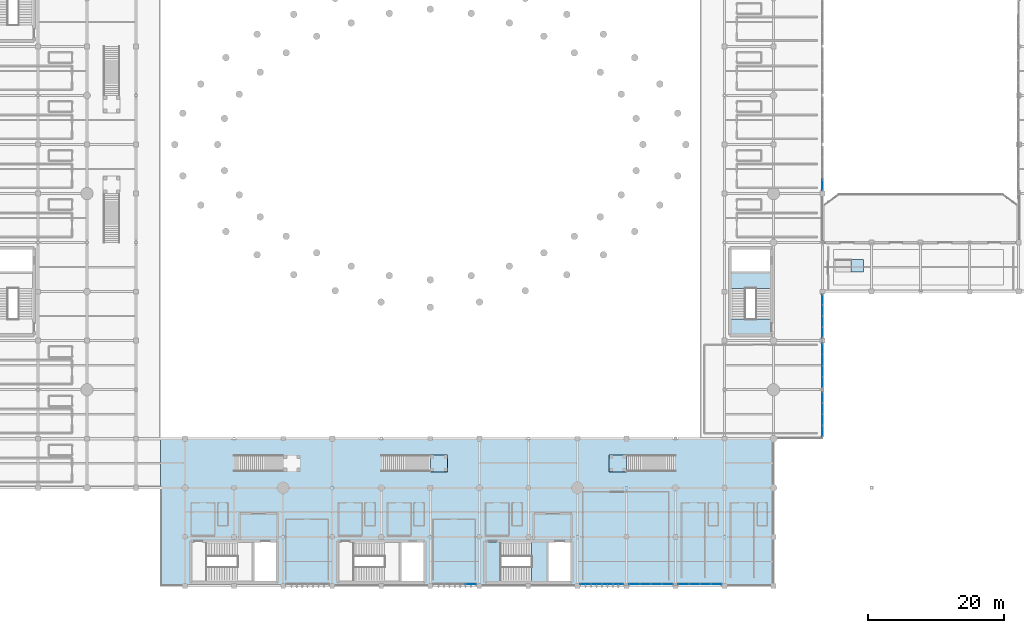
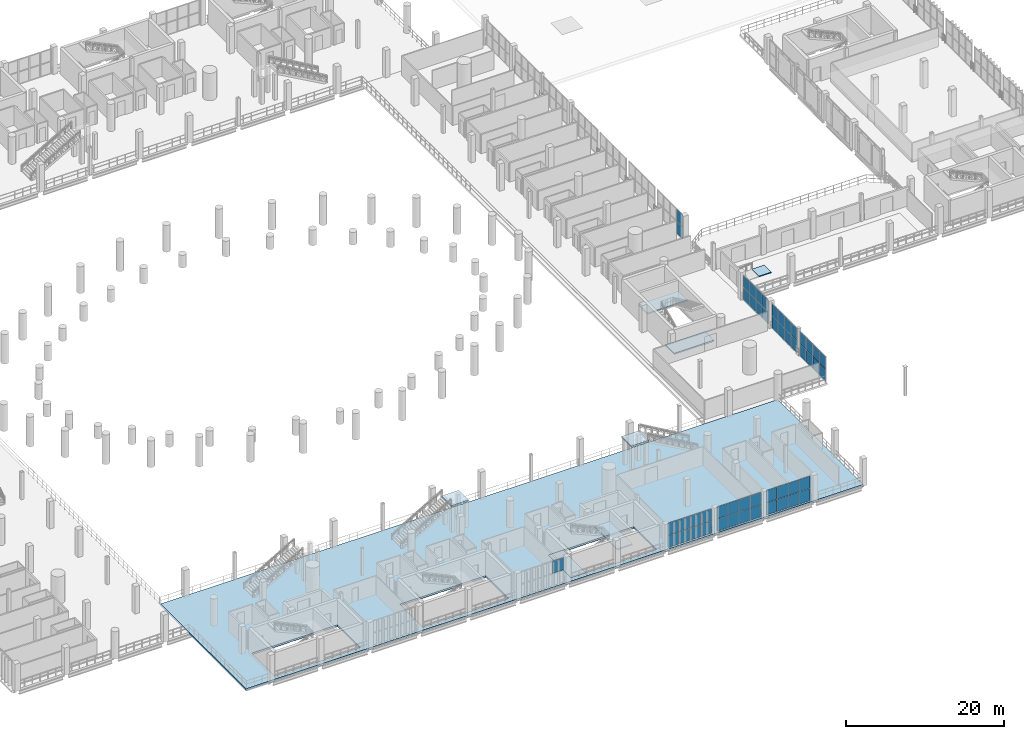
# One storey, part 91 of 130: 51 plates, 8 slabs, 13 elements without a shape of their own.
"""IFC4 building model written with IfcOpenShell, lengths in metres."""

from ifc_helpers import new_model, si_unit, direction, frame, origin, origin_2d, place, context, subcontext, project, spatial, polyline, rectangle, outline, extrude, material, layer, layer_set, type_object, element, aggregate, save


model = new_model("IFC4")

# Units and contexts
model_context = context("Model", 3, precision=1e-05, world=origin(), true_north=direction((0.0, 1.0)))
body_context = subcontext(model_context, "Body", "Model", "MODEL_VIEW")
ifc_project = project(units=[si_unit("LENGTHUNIT", "METRE"), si_unit("AREAUNIT", "SQUARE_METRE"), si_unit("VOLUMEUNIT", "CUBIC_METRE"), si_unit("PLANEANGLEUNIT", "RADIAN"), si_unit("MASSUNIT", "GRAM", prefix="KILO")], contexts=[model_context])

# Site, building, storey
site_placement = place(None, origin())
site = spatial("IfcSite", under=ifc_project, at=site_placement, CompositionType="ELEMENT")
building_placement = place(site_placement, origin())
building = spatial("IfcBuilding", under=site, at=building_placement, Name="Qandorah Velis Arena", CompositionType="ELEMENT")
storey_placement = place(building_placement, frame((0.0, 0.0, 9.60009765625)))
storey = spatial("IfcBuildingStorey", under=building, at=storey_placement, Name="L02", CompositionType="ELEMENT", Elevation=9.60009765625)

# Curtain wall, plate
ifc_material_1 = material(Name="Solar-control low-E double glazing", Category="glass")
curtain_wall_type_1 = type_object("IfcCurtainWallType", Name="ARC-CW-SYS16", PredefinedType="USERDEFINED", material=ifc_material_1)
curtain_wall_1_placement = place(storey_placement, origin())
curtain_wall_1 = element("IfcCurtainWall", 1, at=curtain_wall_1_placement, inside=storey, type_object=curtain_wall_type_1, Name="Unitised curtain wall L02-064", ObjectType="UNITISED CURTAIN WALL", PredefinedType="USERDEFINED")
ifc_layer_1 = layer(ifc_material_1, 0.02392578125)
ifc_layer_set_1 = layer_set([ifc_layer_1], Name="Solar-control low-E double glazing")
plate_type_1 = type_object("IfcPlateType", Name="ARC-CWP-GLZ24", PredefinedType="CURTAIN_PANEL", material=ifc_layer_set_1)
plate_1_placement = place(storey_placement, frame((70.804931640625, 0.25, 1.95751953125), z_axis=(0.0, 0.0, 1.0), x_axis=(1.0, 0.0, 0.0)))
plate_1 = element("IfcPlate", 2, at=plate_1_placement, type_object=plate_type_1, Name="CW16 panel 4.2", PredefinedType="CURTAIN_PANEL", context=body_context, shape_type="SweptSolid", body=[
    extrude(rectangle(XDim=1.550048828125, YDim=0.02392578125, at=origin_2d()), origin(), (0.0, 0.0, 1.0), 1.87744140625),
])
aggregate(curtain_wall_1, [plate_1])

# Curtain wall, plates
curtain_wall_type_2 = type_object("IfcCurtainWallType", Name="ARC-CW-SYS13", PredefinedType="USERDEFINED", material=ifc_material_1)
curtain_wall_2_placement = place(storey_placement, origin())
curtain_wall_2 = element("IfcCurtainWall", 3, at=curtain_wall_2_placement, inside=storey, type_object=curtain_wall_type_2, Name="Unitised curtain wall L02-109", ObjectType="UNITISED CURTAIN WALL", PredefinedType="USERDEFINED")
plate_2_placement = place(storey_placement, frame((122.39990234375, 58.831298828125, 0.06494140625), z_axis=(0.0, 0.0, 1.0), x_axis=(0.0, 1.0, 0.0)))
plate_2 = element("IfcPlate", 4, at=plate_2_placement, type_object=plate_type_1, Name="CW13 panel 1.1", PredefinedType="CURTAIN_PANEL", context=body_context, shape_type="SweptSolid", body=[
    extrude(rectangle(XDim=1.532470703125, YDim=0.02392578125, at=origin_2d()), origin(), (0.0, 0.0, 1.0), 1.847412109375),
])
plate_3_placement = place(storey_placement, frame((122.39990234375, 58.831298828125, 1.96728515625), z_axis=(0.0, 0.0, 1.0), x_axis=(0.0, 1.0, 0.0)))
plate_3 = element("IfcPlate", 5, at=plate_3_placement, type_object=plate_type_1, Name="CW13 panel 1.2", PredefinedType="CURTAIN_PANEL", context=body_context, shape_type="SweptSolid", body=[
    extrude(rectangle(XDim=1.532470703125, YDim=0.02392578125, at=origin_2d()), origin(), (0.0, 0.0, 1.0), 1.847412109375),
])
aggregate(curtain_wall_2, [plate_2, plate_3])

curtain_wall_type_3 = type_object("IfcCurtainWallType", Name="ARC-CW-SYS01", PredefinedType="USERDEFINED", material=ifc_material_1)
curtain_wall_3_placement = place(storey_placement, origin())
curtain_wall_3 = element("IfcCurtainWall", 6, at=curtain_wall_3_placement, inside=storey, type_object=curtain_wall_type_3, Name="Unitised curtain wall L02-169", ObjectType="UNITISED CURTAIN WALL", PredefinedType="USERDEFINED")
plate_4_placement = place(storey_placement, frame((122.39990234375, 37.221923828125, 0.06494140625), z_axis=(0.0, 0.0, 1.0), x_axis=(0.0, 1.0, 0.0)))
plate_4 = element("IfcPlate", 7, at=plate_4_placement, type_object=plate_type_1, Name="CW01 panel 1.1", PredefinedType="CURTAIN_PANEL", context=body_context, shape_type="SweptSolid", body=[
    extrude(rectangle(XDim=1.513916015625, YDim=0.02392578125, at=origin_2d()), origin(), (0.0, 0.0, 1.0), 1.847412109375),
])
plate_5_placement = place(storey_placement, frame((122.39990234375, 37.221923828125, 1.96728515625), z_axis=(0.0, 0.0, 1.0), x_axis=(0.0, 1.0, 0.0)))
plate_5 = element("IfcPlate", 8, at=plate_5_placement, type_object=plate_type_1, Name="CW01 panel 1.2", PredefinedType="CURTAIN_PANEL", context=body_context, shape_type="SweptSolid", body=[
    extrude(rectangle(XDim=1.513916015625, YDim=0.02392578125, at=origin_2d()), origin(), (0.0, 0.0, 1.0), 1.847412109375),
])
plate_6_placement = place(storey_placement, frame((122.39990234375, 38.809326171875, 0.06494140625), z_axis=(0.0, 0.0, 1.0), x_axis=(0.0, 1.0, 0.0)))
plate_6 = element("IfcPlate", 9, at=plate_6_placement, type_object=plate_type_1, Name="CW01 panel 2.1", PredefinedType="CURTAIN_PANEL", context=body_context, shape_type="SweptSolid", body=[
    extrude(rectangle(XDim=1.55126953125, YDim=0.02392578125, at=origin_2d()), origin(), (0.0, 0.0, 1.0), 1.847412109375),
])
plate_7_placement = place(storey_placement, frame((122.39990234375, 38.809326171875, 1.96728515625), z_axis=(0.0, 0.0, 1.0), x_axis=(0.0, 1.0, 0.0)))
plate_7 = element("IfcPlate", 10, at=plate_7_placement, type_object=plate_type_1, Name="CW01 panel 2.2", PredefinedType="CURTAIN_PANEL", context=body_context, shape_type="SweptSolid", body=[
    extrude(rectangle(XDim=1.55126953125, YDim=0.02392578125, at=origin_2d()), origin(), (0.0, 0.0, 1.0), 1.847412109375),
])
plate_8_placement = place(storey_placement, frame((122.39990234375, 40.41552734375, 0.06494140625), z_axis=(0.0, 0.0, 1.0), x_axis=(0.0, 1.0, 0.0)))
plate_8 = element("IfcPlate", 11, at=plate_8_placement, type_object=plate_type_1, Name="CW01 panel 3.1", PredefinedType="CURTAIN_PANEL", context=body_context, shape_type="SweptSolid", body=[
    extrude(rectangle(XDim=1.55126953125, YDim=0.02392578125, at=origin_2d()), origin(), (0.0, 0.0, 1.0), 1.847412109375),
])
plate_9_placement = place(storey_placement, frame((122.39990234375, 40.41552734375, 1.96728515625), z_axis=(0.0, 0.0, 1.0), x_axis=(0.0, 1.0, 0.0)))
plate_9 = element("IfcPlate", 12, at=plate_9_placement, type_object=plate_type_1, Name="CW01 panel 3.2", PredefinedType="CURTAIN_PANEL", context=body_context, shape_type="SweptSolid", body=[
    extrude(rectangle(XDim=1.55126953125, YDim=0.02392578125, at=origin_2d()), origin(), (0.0, 0.0, 1.0), 1.847412109375),
])
plate_10_placement = place(storey_placement, frame((122.39990234375, 42.003173828125, 0.06494140625), z_axis=(0.0, 0.0, 1.0), x_axis=(0.0, 1.0, 0.0)))
plate_10 = element("IfcPlate", 13, at=plate_10_placement, type_object=plate_type_1, Name="CW01 panel 4.1", PredefinedType="CURTAIN_PANEL", context=body_context, shape_type="SweptSolid", body=[
    extrude(rectangle(XDim=1.513916015625, YDim=0.02392578125, at=origin_2d()), origin(), (0.0, 0.0, 1.0), 1.847412109375),
])
plate_11_placement = place(storey_placement, frame((122.39990234375, 42.003173828125, 1.96728515625), z_axis=(0.0, 0.0, 1.0), x_axis=(0.0, 1.0, 0.0)))
plate_11 = element("IfcPlate", 14, at=plate_11_placement, type_object=plate_type_1, Name="CW01 panel 4.2", PredefinedType="CURTAIN_PANEL", context=body_context, shape_type="SweptSolid", body=[
    extrude(rectangle(XDim=1.513916015625, YDim=0.02392578125, at=origin_2d()), origin(), (0.0, 0.0, 1.0), 1.847412109375),
])
aggregate(curtain_wall_3, [plate_4, plate_5, plate_6, plate_7, plate_8, plate_9, plate_10, plate_11])

curtain_wall_type_4 = type_object("IfcCurtainWallType", Name="ARC-CW-SYS24", PredefinedType="USERDEFINED", material=ifc_material_1)
curtain_wall_4_placement = place(storey_placement, origin())
curtain_wall_4 = element("IfcCurtainWall", 15, at=curtain_wall_4_placement, inside=storey, type_object=curtain_wall_type_4, Name="Unitised curtain wall L02-168", ObjectType="UNITISED CURTAIN WALL", PredefinedType="USERDEFINED")
ifc_layer_2 = layer(ifc_material_1, 0.028076171875)
ifc_layer_set_2 = layer_set([ifc_layer_2], Name="Solar-control low-E double glazing")
plate_type_2 = type_object("IfcPlateType", Name="ARC-CWP-GLZ28", PredefinedType="CURTAIN_PANEL", material=ifc_layer_set_2)
plate_12_placement = place(storey_placement, frame((122.39990234375, 29.92626953125, 0.044921875), z_axis=(0.0, 0.0, 1.0), x_axis=(0.0, 1.0, 0.0)))
plate_12 = element("IfcPlate", 16, at=plate_12_placement, type_object=plate_type_2, Name="CW24 panel 1.1", PredefinedType="CURTAIN_PANEL", context=body_context, shape_type="SweptSolid", body=[
    extrude(rectangle(XDim=1.5625, YDim=0.028076171875, at=origin_2d()), origin(), (0.0, 0.0, 1.0), 1.87744140625),
])
plate_13_placement = place(storey_placement, frame((122.39990234375, 29.92626953125, 1.95751953125), z_axis=(0.0, 0.0, 1.0), x_axis=(0.0, 1.0, 0.0)))
plate_13 = element("IfcPlate", 17, at=plate_13_placement, type_object=plate_type_2, Name="CW24 panel 1.2", PredefinedType="CURTAIN_PANEL", context=body_context, shape_type="SweptSolid", body=[
    extrude(rectangle(XDim=1.5625, YDim=0.028076171875, at=origin_2d()), origin(), (0.0, 0.0, 1.0), 1.87744140625),
])
plate_14_placement = place(storey_placement, frame((122.39990234375, 31.53759765625, 0.044921875), z_axis=(0.0, 0.0, 1.0), x_axis=(0.0, 1.0, 0.0)))
plate_14 = element("IfcPlate", 18, at=plate_14_placement, type_object=plate_type_2, Name="CW24 panel 2.1", PredefinedType="CURTAIN_PANEL", context=body_context, shape_type="SweptSolid", body=[
    extrude(rectangle(XDim=1.590087890625, YDim=0.028076171875, at=origin_2d()), origin(), (0.0, 0.0, 1.0), 1.87744140625),
])
plate_15_placement = place(storey_placement, frame((122.39990234375, 31.53759765625, 1.95751953125), z_axis=(0.0, 0.0, 1.0), x_axis=(0.0, 1.0, 0.0)))
plate_15 = element("IfcPlate", 19, at=plate_15_placement, type_object=plate_type_2, Name="CW24 panel 2.2", PredefinedType="CURTAIN_PANEL", context=body_context, shape_type="SweptSolid", body=[
    extrude(rectangle(XDim=1.590087890625, YDim=0.028076171875, at=origin_2d()), origin(), (0.0, 0.0, 1.0), 1.87744140625),
])
plate_16_placement = place(storey_placement, frame((122.39990234375, 33.16259765625, 0.044921875), z_axis=(0.0, 0.0, 1.0), x_axis=(0.0, 1.0, 0.0)))
plate_16 = element("IfcPlate", 20, at=plate_16_placement, type_object=plate_type_2, Name="CW24 panel 3.1", PredefinedType="CURTAIN_PANEL", context=body_context, shape_type="SweptSolid", body=[
    extrude(rectangle(XDim=1.590087890625, YDim=0.028076171875, at=origin_2d()), origin(), (0.0, 0.0, 1.0), 1.87744140625),
])
plate_17_placement = place(storey_placement, frame((122.39990234375, 33.16259765625, 1.95751953125), z_axis=(0.0, 0.0, 1.0), x_axis=(0.0, 1.0, 0.0)))
plate_17 = element("IfcPlate", 21, at=plate_17_placement, type_object=plate_type_2, Name="CW24 panel 3.2", PredefinedType="CURTAIN_PANEL", context=body_context, shape_type="SweptSolid", body=[
    extrude(rectangle(XDim=1.590087890625, YDim=0.028076171875, at=origin_2d()), origin(), (0.0, 0.0, 1.0), 1.87744140625),
])
plate_18_placement = place(storey_placement, frame((122.39990234375, 34.773681640625, 0.044921875), z_axis=(0.0, 0.0, 1.0), x_axis=(0.0, 1.0, 0.0)))
plate_18 = element("IfcPlate", 22, at=plate_18_placement, type_object=plate_type_2, Name="CW24 panel 4.1", PredefinedType="CURTAIN_PANEL", context=body_context, shape_type="SweptSolid", body=[
    extrude(rectangle(XDim=1.5625, YDim=0.028076171875, at=origin_2d()), origin(), (0.0, 0.0, 1.0), 1.87744140625),
])
plate_19_placement = place(storey_placement, frame((122.39990234375, 34.773681640625, 1.95751953125), z_axis=(0.0, 0.0, 1.0), x_axis=(0.0, 1.0, 0.0)))
plate_19 = element("IfcPlate", 23, at=plate_19_placement, type_object=plate_type_2, Name="CW24 panel 4.2", PredefinedType="CURTAIN_PANEL", context=body_context, shape_type="SweptSolid", body=[
    extrude(rectangle(XDim=1.5625, YDim=0.028076171875, at=origin_2d()), origin(), (0.0, 0.0, 1.0), 1.87744140625),
])
aggregate(curtain_wall_4, [plate_12, plate_13, plate_14, plate_15, plate_16, plate_17, plate_18, plate_19])

curtain_wall_type_5 = type_object("IfcCurtainWallType", Name="ARC-CW-SYS19", PredefinedType="USERDEFINED", material=ifc_material_1)
curtain_wall_5_placement = place(storey_placement, origin())
curtain_wall_5 = element("IfcCurtainWall", 24, at=curtain_wall_5_placement, inside=storey, type_object=curtain_wall_type_5, Name="Unitised curtain wall L02-067", ObjectType="UNITISED CURTAIN WALL", PredefinedType="USERDEFINED")
ifc_layer_3 = layer(ifc_material_1, 0.030029296875)
ifc_layer_set_3 = layer_set([ifc_layer_3], Name="Solar-control low-E double glazing")
plate_type_3 = type_object("IfcPlateType", Name="ARC-CWP-GLZ30", PredefinedType="CURTAIN_PANEL", material=ifc_layer_set_3)
plate_20_placement = place(storey_placement, frame((101.996337890625, 0.25, 0.0498046875), z_axis=(0.0, 0.0, 1.0), x_axis=(1.0, 0.0, 0.0)))
plate_20 = element("IfcPlate", 25, at=plate_20_placement, type_object=plate_type_3, Name="CW19 panel 1.1", PredefinedType="CURTAIN_PANEL", context=body_context, shape_type="SweptSolid", body=[
    extrude(rectangle(XDim=1.54248046875, YDim=0.030029296875, at=origin_2d()), origin(), (0.0, 0.0, 1.0), 1.8701171875),
])
plate_21_placement = place(storey_placement, frame((101.996337890625, 0.25, 1.9599609375), z_axis=(0.0, 0.0, 1.0), x_axis=(1.0, 0.0, 0.0)))
plate_21 = element("IfcPlate", 26, at=plate_21_placement, type_object=plate_type_3, Name="CW19 panel 1.2", PredefinedType="CURTAIN_PANEL", context=body_context, shape_type="SweptSolid", body=[
    extrude(rectangle(XDim=1.54248046875, YDim=0.030029296875, at=origin_2d()), origin(), (0.0, 0.0, 1.0), 1.8701171875),
])
plate_22_placement = place(storey_placement, frame((103.59375, 0.25, 0.0498046875), z_axis=(0.0, 0.0, 1.0), x_axis=(1.0, 0.0, 0.0)))
plate_22 = element("IfcPlate", 27, at=plate_22_placement, type_object=plate_type_3, Name="CW19 panel 2.1", PredefinedType="CURTAIN_PANEL", context=body_context, shape_type="SweptSolid", body=[
    extrude(rectangle(XDim=1.572509765625, YDim=0.030029296875, at=origin_2d()), origin(), (0.0, 0.0, 1.0), 1.8701171875),
])
plate_23_placement = place(storey_placement, frame((103.59375, 0.25, 1.9599609375), z_axis=(0.0, 0.0, 1.0), x_axis=(1.0, 0.0, 0.0)))
plate_23 = element("IfcPlate", 28, at=plate_23_placement, type_object=plate_type_3, Name="CW19 panel 2.2", PredefinedType="CURTAIN_PANEL", context=body_context, shape_type="SweptSolid", body=[
    extrude(rectangle(XDim=1.572509765625, YDim=0.030029296875, at=origin_2d()), origin(), (0.0, 0.0, 1.0), 1.8701171875),
])
plate_24_placement = place(storey_placement, frame((105.206298828125, 0.25, 0.0498046875), z_axis=(0.0, 0.0, 1.0), x_axis=(1.0, 0.0, 0.0)))
plate_24 = element("IfcPlate", 29, at=plate_24_placement, type_object=plate_type_3, Name="CW19 panel 3.1", PredefinedType="CURTAIN_PANEL", context=body_context, shape_type="SweptSolid", body=[
    extrude(rectangle(XDim=1.572509765625, YDim=0.030029296875, at=origin_2d()), origin(), (0.0, 0.0, 1.0), 1.8701171875),
])
plate_25_placement = place(storey_placement, frame((105.206298828125, 0.25, 1.9599609375), z_axis=(0.0, 0.0, 1.0), x_axis=(1.0, 0.0, 0.0)))
plate_25 = element("IfcPlate", 30, at=plate_25_placement, type_object=plate_type_3, Name="CW19 panel 3.2", PredefinedType="CURTAIN_PANEL", context=body_context, shape_type="SweptSolid", body=[
    extrude(rectangle(XDim=1.572509765625, YDim=0.030029296875, at=origin_2d()), origin(), (0.0, 0.0, 1.0), 1.8701171875),
])
plate_26_placement = place(storey_placement, frame((106.8037109375, 0.25, 0.0498046875), z_axis=(0.0, 0.0, 1.0), x_axis=(1.0, 0.0, 0.0)))
plate_26 = element("IfcPlate", 31, at=plate_26_placement, type_object=plate_type_3, Name="CW19 panel 4.1", PredefinedType="CURTAIN_PANEL", context=body_context, shape_type="SweptSolid", body=[
    extrude(rectangle(XDim=1.54248046875, YDim=0.030029296875, at=origin_2d()), origin(), (0.0, 0.0, 1.0), 1.8701171875),
])
plate_27_placement = place(storey_placement, frame((106.8037109375, 0.25, 1.9599609375), z_axis=(0.0, 0.0, 1.0), x_axis=(1.0, 0.0, 0.0)))
plate_27 = element("IfcPlate", 32, at=plate_27_placement, type_object=plate_type_3, Name="CW19 panel 4.2", PredefinedType="CURTAIN_PANEL", context=body_context, shape_type="SweptSolid", body=[
    extrude(rectangle(XDim=1.54248046875, YDim=0.030029296875, at=origin_2d()), origin(), (0.0, 0.0, 1.0), 1.8701171875),
])
aggregate(curtain_wall_5, [plate_20, plate_21, plate_22, plate_23, plate_24, plate_25, plate_26, plate_27])

curtain_wall_type_6 = type_object("IfcCurtainWallType", Name="ARC-CW-SYS23", PredefinedType="USERDEFINED", material=ifc_material_1)
curtain_wall_6_placement = place(storey_placement, origin())
curtain_wall_6 = element("IfcCurtainWall", 33, at=curtain_wall_6_placement, inside=storey, type_object=curtain_wall_type_6, Name="Unitised curtain wall L02-167", ObjectType="UNITISED CURTAIN WALL", PredefinedType="USERDEFINED")
plate_28_placement = place(storey_placement, frame((122.39990234375, 22.739990234375, 0.0498046875), z_axis=(0.0, 0.0, 1.0), x_axis=(0.0, 1.0, 0.0)))
plate_28 = element("IfcPlate", 34, at=plate_28_placement, type_object=plate_type_3, Name="CW23 panel 1.1", PredefinedType="CURTAIN_PANEL", context=body_context, shape_type="SweptSolid", body=[
    extrude(rectangle(XDim=1.580078125, YDim=0.030029296875, at=origin_2d()), origin(), (0.0, 0.0, 1.0), 1.8701171875),
])
plate_29_placement = place(storey_placement, frame((122.39990234375, 22.739990234375, 1.9599609375), z_axis=(0.0, 0.0, 1.0), x_axis=(0.0, 1.0, 0.0)))
plate_29 = element("IfcPlate", 35, at=plate_29_placement, type_object=plate_type_3, Name="CW23 panel 1.2", PredefinedType="CURTAIN_PANEL", context=body_context, shape_type="SweptSolid", body=[
    extrude(rectangle(XDim=1.580078125, YDim=0.030029296875, at=origin_2d()), origin(), (0.0, 0.0, 1.0), 1.8701171875),
])
plate_30_placement = place(storey_placement, frame((122.39990234375, 24.375, 0.0498046875), z_axis=(0.0, 0.0, 1.0), x_axis=(0.0, 1.0, 0.0)))
plate_30 = element("IfcPlate", 36, at=plate_30_placement, type_object=plate_type_3, Name="CW23 panel 2.1", PredefinedType="CURTAIN_PANEL", context=body_context, shape_type="SweptSolid", body=[
    extrude(rectangle(XDim=1.610107421875, YDim=0.030029296875, at=origin_2d()), origin(), (0.0, 0.0, 1.0), 1.8701171875),
])
plate_31_placement = place(storey_placement, frame((122.39990234375, 24.375, 1.9599609375), z_axis=(0.0, 0.0, 1.0), x_axis=(0.0, 1.0, 0.0)))
plate_31 = element("IfcPlate", 37, at=plate_31_placement, type_object=plate_type_3, Name="CW23 panel 2.2", PredefinedType="CURTAIN_PANEL", context=body_context, shape_type="SweptSolid", body=[
    extrude(rectangle(XDim=1.610107421875, YDim=0.030029296875, at=origin_2d()), origin(), (0.0, 0.0, 1.0), 1.8701171875),
])
plate_32_placement = place(storey_placement, frame((122.39990234375, 26.02490234375, 0.0498046875), z_axis=(0.0, 0.0, 1.0), x_axis=(0.0, 1.0, 0.0)))
plate_32 = element("IfcPlate", 38, at=plate_32_placement, type_object=plate_type_3, Name="CW23 panel 3.1", PredefinedType="CURTAIN_PANEL", context=body_context, shape_type="SweptSolid", body=[
    extrude(rectangle(XDim=1.610107421875, YDim=0.030029296875, at=origin_2d()), origin(), (0.0, 0.0, 1.0), 1.8701171875),
])
plate_33_placement = place(storey_placement, frame((122.39990234375, 26.02490234375, 1.9599609375), z_axis=(0.0, 0.0, 1.0), x_axis=(0.0, 1.0, 0.0)))
plate_33 = element("IfcPlate", 39, at=plate_33_placement, type_object=plate_type_3, Name="CW23 panel 3.2", PredefinedType="CURTAIN_PANEL", context=body_context, shape_type="SweptSolid", body=[
    extrude(rectangle(XDim=1.610107421875, YDim=0.030029296875, at=origin_2d()), origin(), (0.0, 0.0, 1.0), 1.8701171875),
])
plate_34_placement = place(storey_placement, frame((122.39990234375, 27.659912109375, 0.0498046875), z_axis=(0.0, 0.0, 1.0), x_axis=(0.0, 1.0, 0.0)))
plate_34 = element("IfcPlate", 40, at=plate_34_placement, type_object=plate_type_3, Name="CW23 panel 4.1", PredefinedType="CURTAIN_PANEL", context=body_context, shape_type="SweptSolid", body=[
    extrude(rectangle(XDim=1.580078125, YDim=0.030029296875, at=origin_2d()), origin(), (0.0, 0.0, 1.0), 1.8701171875),
])
plate_35_placement = place(storey_placement, frame((122.39990234375, 27.659912109375, 1.9599609375), z_axis=(0.0, 0.0, 1.0), x_axis=(0.0, 1.0, 0.0)))
plate_35 = element("IfcPlate", 41, at=plate_35_placement, type_object=plate_type_3, Name="CW23 panel 4.2", PredefinedType="CURTAIN_PANEL", context=body_context, shape_type="SweptSolid", body=[
    extrude(rectangle(XDim=1.580078125, YDim=0.030029296875, at=origin_2d()), origin(), (0.0, 0.0, 1.0), 1.8701171875),
])
aggregate(curtain_wall_6, [plate_28, plate_29, plate_30, plate_31, plate_32, plate_33, plate_34, plate_35])

curtain_wall_type_7 = type_object("IfcCurtainWallType", Name="ARC-CW-SYS18", PredefinedType="USERDEFINED", material=ifc_material_1)
curtain_wall_7_placement = place(storey_placement, origin())
curtain_wall_7 = element("IfcCurtainWall", 42, at=curtain_wall_7_placement, inside=storey, type_object=curtain_wall_type_7, Name="Unitised curtain wall L02-066", ObjectType="UNITISED CURTAIN WALL", PredefinedType="USERDEFINED")
ifc_layer_4 = layer(ifc_material_1, 0.035888671875)
ifc_layer_set_4 = layer_set([ifc_layer_4], Name="Solar-control low-E double glazing")
plate_type_4 = type_object("IfcPlateType", Name="ARC-CWP-GLZ36", PredefinedType="CURTAIN_PANEL", material=ifc_layer_set_4)
plate_36_placement = place(storey_placement, frame((94.797607421875, 0.25, 0.0546875), z_axis=(0.0, 0.0, 1.0), x_axis=(1.0, 0.0, 0.0)))
plate_36 = element("IfcPlate", 43, at=plate_36_placement, type_object=plate_type_4, Name="CW18 panel 1.1", PredefinedType="CURTAIN_PANEL", context=body_context, shape_type="SweptSolid", body=[
    extrude(rectangle(XDim=1.534912109375, YDim=0.035888671875, at=origin_2d()), origin(), (0.0, 0.0, 1.0), 1.862548828125),
])
plate_37_placement = place(storey_placement, frame((94.797607421875, 0.25, 1.96240234375), z_axis=(0.0, 0.0, 1.0), x_axis=(1.0, 0.0, 0.0)))
plate_37 = element("IfcPlate", 44, at=plate_37_placement, type_object=plate_type_4, Name="CW18 panel 1.2", PredefinedType="CURTAIN_PANEL", context=body_context, shape_type="SweptSolid", body=[
    extrude(rectangle(XDim=1.534912109375, YDim=0.035888671875, at=origin_2d()), origin(), (0.0, 0.0, 1.0), 1.862548828125),
])
plate_38_placement = place(storey_placement, frame((96.393798828125, 0.25, 0.0546875), z_axis=(0.0, 0.0, 1.0), x_axis=(1.0, 0.0, 0.0)))
plate_38 = element("IfcPlate", 45, at=plate_38_placement, type_object=plate_type_4, Name="CW18 panel 2.1", PredefinedType="CURTAIN_PANEL", context=body_context, shape_type="SweptSolid", body=[
    extrude(rectangle(XDim=1.5673828125, YDim=0.035888671875, at=origin_2d()), origin(), (0.0, 0.0, 1.0), 1.862548828125),
])
plate_39_placement = place(storey_placement, frame((96.393798828125, 0.25, 1.96240234375), z_axis=(0.0, 0.0, 1.0), x_axis=(1.0, 0.0, 0.0)))
plate_39 = element("IfcPlate", 46, at=plate_39_placement, type_object=plate_type_4, Name="CW18 panel 2.2", PredefinedType="CURTAIN_PANEL", context=body_context, shape_type="SweptSolid", body=[
    extrude(rectangle(XDim=1.5673828125, YDim=0.035888671875, at=origin_2d()), origin(), (0.0, 0.0, 1.0), 1.862548828125),
])
plate_40_placement = place(storey_placement, frame((98.00634765625, 0.25, 0.0546875), z_axis=(0.0, 0.0, 1.0), x_axis=(1.0, 0.0, 0.0)))
plate_40 = element("IfcPlate", 47, at=plate_40_placement, type_object=plate_type_4, Name="CW18 panel 3.1", PredefinedType="CURTAIN_PANEL", context=body_context, shape_type="SweptSolid", body=[
    extrude(rectangle(XDim=1.5673828125, YDim=0.035888671875, at=origin_2d()), origin(), (0.0, 0.0, 1.0), 1.862548828125),
])
plate_41_placement = place(storey_placement, frame((98.00634765625, 0.25, 1.96240234375), z_axis=(0.0, 0.0, 1.0), x_axis=(1.0, 0.0, 0.0)))
plate_41 = element("IfcPlate", 48, at=plate_41_placement, type_object=plate_type_4, Name="CW18 panel 3.2", PredefinedType="CURTAIN_PANEL", context=body_context, shape_type="SweptSolid", body=[
    extrude(rectangle(XDim=1.5673828125, YDim=0.035888671875, at=origin_2d()), origin(), (0.0, 0.0, 1.0), 1.862548828125),
])
plate_42_placement = place(storey_placement, frame((99.6025390625, 0.25, 0.0546875), z_axis=(0.0, 0.0, 1.0), x_axis=(1.0, 0.0, 0.0)))
plate_42 = element("IfcPlate", 49, at=plate_42_placement, type_object=plate_type_4, Name="CW18 panel 4.1", PredefinedType="CURTAIN_PANEL", context=body_context, shape_type="SweptSolid", body=[
    extrude(rectangle(XDim=1.534912109375, YDim=0.035888671875, at=origin_2d()), origin(), (0.0, 0.0, 1.0), 1.862548828125),
])
plate_43_placement = place(storey_placement, frame((99.6025390625, 0.25, 1.96240234375), z_axis=(0.0, 0.0, 1.0), x_axis=(1.0, 0.0, 0.0)))
plate_43 = element("IfcPlate", 50, at=plate_43_placement, type_object=plate_type_4, Name="CW18 panel 4.2", PredefinedType="CURTAIN_PANEL", context=body_context, shape_type="SweptSolid", body=[
    extrude(rectangle(XDim=1.534912109375, YDim=0.035888671875, at=origin_2d()), origin(), (0.0, 0.0, 1.0), 1.862548828125),
])
aggregate(curtain_wall_7, [plate_36, plate_37, plate_38, plate_39, plate_40, plate_41, plate_42, plate_43])

curtain_wall_type_8 = type_object("IfcCurtainWallType", Name="ARC-CW-SYS17", PredefinedType="USERDEFINED", material=ifc_material_1)
curtain_wall_8_placement = place(storey_placement, origin())
curtain_wall_8 = element("IfcCurtainWall", 51, at=curtain_wall_8_placement, inside=storey, type_object=curtain_wall_type_8, Name="Unitised curtain wall L02-065", ObjectType="UNITISED CURTAIN WALL", PredefinedType="USERDEFINED")
ifc_layer_5 = layer(ifc_material_1, 0.0439453125)
ifc_layer_set_5 = layer_set([ifc_layer_5], Name="Solar-control low-E double glazing")
plate_type_5 = type_object("IfcPlateType", Name="ARC-CWP-SPN44", PredefinedType="CURTAIN_PANEL", material=ifc_layer_set_5)
plate_44_placement = place(storey_placement, frame((87.60009765625, 0.25, 0.06494140625), z_axis=(0.0, 0.0, 1.0), x_axis=(1.0, 0.0, 0.0)))
plate_44 = element("IfcPlate", 52, at=plate_44_placement, type_object=plate_type_5, Name="CW17 panel 1.1", PredefinedType="CURTAIN_PANEL", context=body_context, shape_type="SweptSolid", body=[
    extrude(rectangle(XDim=1.52001953125, YDim=0.0439453125, at=origin_2d()), origin(), (0.0, 0.0, 1.0), 1.847412109375),
])
plate_45_placement = place(storey_placement, frame((87.60009765625, 0.25, 1.96728515625), z_axis=(0.0, 0.0, 1.0), x_axis=(1.0, 0.0, 0.0)))
plate_45 = element("IfcPlate", 53, at=plate_45_placement, type_object=plate_type_5, Name="CW17 panel 1.2", PredefinedType="CURTAIN_PANEL", context=body_context, shape_type="SweptSolid", body=[
    extrude(rectangle(XDim=1.52001953125, YDim=0.0439453125, at=origin_2d()), origin(), (0.0, 0.0, 1.0), 1.847412109375),
])
plate_46_placement = place(storey_placement, frame((89.19384765625, 0.25, 0.06494140625), z_axis=(0.0, 0.0, 1.0), x_axis=(1.0, 0.0, 0.0)))
plate_46 = element("IfcPlate", 54, at=plate_46_placement, type_object=plate_type_5, Name="CW17 panel 2.1", PredefinedType="CURTAIN_PANEL", context=body_context, shape_type="SweptSolid", body=[
    extrude(rectangle(XDim=1.5576171875, YDim=0.0439453125, at=origin_2d()), origin(), (0.0, 0.0, 1.0), 1.847412109375),
])
plate_47_placement = place(storey_placement, frame((89.19384765625, 0.25, 1.96728515625), z_axis=(0.0, 0.0, 1.0), x_axis=(1.0, 0.0, 0.0)))
plate_47 = element("IfcPlate", 55, at=plate_47_placement, type_object=plate_type_5, Name="CW17 panel 2.2", PredefinedType="CURTAIN_PANEL", context=body_context, shape_type="SweptSolid", body=[
    extrude(rectangle(XDim=1.5576171875, YDim=0.0439453125, at=origin_2d()), origin(), (0.0, 0.0, 1.0), 1.847412109375),
])
plate_48_placement = place(storey_placement, frame((90.80615234375, 0.25, 0.06494140625), z_axis=(0.0, 0.0, 1.0), x_axis=(1.0, 0.0, 0.0)))
plate_48 = element("IfcPlate", 56, at=plate_48_placement, type_object=plate_type_5, Name="CW17 panel 3.1", PredefinedType="CURTAIN_PANEL", context=body_context, shape_type="SweptSolid", body=[
    extrude(rectangle(XDim=1.5576171875, YDim=0.0439453125, at=origin_2d()), origin(), (0.0, 0.0, 1.0), 1.847412109375),
])
plate_49_placement = place(storey_placement, frame((90.80615234375, 0.25, 1.96728515625), z_axis=(0.0, 0.0, 1.0), x_axis=(1.0, 0.0, 0.0)))
plate_49 = element("IfcPlate", 57, at=plate_49_placement, type_object=plate_type_5, Name="CW17 panel 3.2", PredefinedType="CURTAIN_PANEL", context=body_context, shape_type="SweptSolid", body=[
    extrude(rectangle(XDim=1.5576171875, YDim=0.0439453125, at=origin_2d()), origin(), (0.0, 0.0, 1.0), 1.847412109375),
])
plate_50_placement = place(storey_placement, frame((92.39990234375, 0.25, 0.06494140625), z_axis=(0.0, 0.0, 1.0), x_axis=(1.0, 0.0, 0.0)))
plate_50 = element("IfcPlate", 58, at=plate_50_placement, type_object=plate_type_5, Name="CW17 panel 4.1", PredefinedType="CURTAIN_PANEL", context=body_context, shape_type="SweptSolid", body=[
    extrude(rectangle(XDim=1.52001953125, YDim=0.0439453125, at=origin_2d()), origin(), (0.0, 0.0, 1.0), 1.847412109375),
])
plate_51_placement = place(storey_placement, frame((92.39990234375, 0.25, 1.96728515625), z_axis=(0.0, 0.0, 1.0), x_axis=(1.0, 0.0, 0.0)))
plate_51 = element("IfcPlate", 59, at=plate_51_placement, type_object=plate_type_5, Name="CW17 panel 4.2", PredefinedType="CURTAIN_PANEL", context=body_context, shape_type="SweptSolid", body=[
    extrude(rectangle(XDim=1.52001953125, YDim=0.0439453125, at=origin_2d()), origin(), (0.0, 0.0, 1.0), 1.847412109375),
])
aggregate(curtain_wall_8, [plate_44, plate_45, plate_46, plate_47, plate_48, plate_49, plate_50, plate_51])

# Slabs
ifc_material_2 = material(Name="Concrete C40/50", Category="concrete")
ifc_layer_6 = layer(ifc_material_2, 0.280029296875)
ifc_layer_set_6 = layer_set([ifc_layer_6], Name="Concrete C40/50")
slab_type_1 = type_object("IfcSlabType", Name="STR-SLB-FL280", PredefinedType="FLOOR", material=ifc_layer_set_6)
slab_1_placement = place(storey_placement, frame((0.0, 0.0, -0.280029296875)))
element("IfcSlab", 60, at=slab_1_placement, inside=storey, type_object=slab_type_1, Name="Structural floor slab L02_SOUTH_SUITES", PredefinedType="FLOOR", context=body_context, shape_type="SweptSolid", body=[
    extrude(outline(polyline([(25.199951171875, 21.60009765625), (115.199951171875, 21.60009765625), (115.199951171875, 0.0), (25.199951171875, 0.0), (25.199951171875, 21.60009765625)]), holes=[polyline([(42.2548828125, 6.455078125), (31.955078125, 6.455078125), (29.7451171875, 6.455078125), (29.7451171875, 0.64501953125), (31.955078125, 0.64501953125), (42.2548828125, 0.64501953125), (42.2548828125, 6.455078125)]), polyline([(85.455078125, 0.64501953125), (85.455078125, 6.455078125), (75.155029296875, 6.455078125), (72.945068359375, 6.455078125), (72.945068359375, 0.64501953125), (75.155029296875, 0.64501953125), (85.455078125, 0.64501953125)]), polyline([(51.344970703125, 0.64501953125), (53.554931640625, 0.64501953125), (63.85498046875, 0.64501953125), (63.85498046875, 6.455078125), (53.554931640625, 6.455078125), (51.344970703125, 6.455078125), (51.344970703125, 6.455078125), (51.344970703125, 0.64501953125), (51.344970703125, 0.64501953125)])]), origin(), (0.0, 0.0, 1.0), 0.280029296875),
])
ifc_layer_7 = layer(ifc_material_2, 0.219970703125)
ifc_layer_set_7 = layer_set([ifc_layer_7], Name="Concrete C40/50")
slab_type_2 = type_object("IfcSlabType", Name="STR-SLB-LND220", PredefinedType="LANDING", material=ifc_layer_set_7)
slab_2_placement = place(storey_placement, frame((0.0, 0.0, -0.22021484375)))
element("IfcSlab", 61, at=slab_2_placement, inside=storey, type_object=slab_type_2, Name="Stair ST2 storey landing slab L02", PredefinedType="LANDING", context=body_context, shape_type="SweptSolid", body=[
    extrude(outline(polyline([(72.949951171875, 0.64990234375), (75.14990234375, 0.64990234375), (75.14990234375, 6.449951171875), (72.949951171875, 6.449951171875), (72.949951171875, 0.64990234375)])), origin(), (0.0, 0.0, 1.0), 0.22021484375),
])

# Stair, slab
stair_type_1 = type_object("IfcStairType", Name="ARC-ST-CORE42", PredefinedType="HALF_TURN_STAIR", material=ifc_material_2)
stair_1_placement = place(storey_placement, origin())
stair_1 = element("IfcStair", 62, at=stair_1_placement, inside=storey, type_object=stair_type_1, Name="Protected exit stair ST2 (L02)", PredefinedType="HALF_TURN_STAIR")
slab_3_placement = place(storey_placement, frame((0.0, 0.0, 1.8798828125)))
slab_3 = element("IfcSlab", 63, at=slab_3_placement, type_object=slab_type_2, Name="ST2 landing 1", PredefinedType="LANDING", context=body_context, shape_type="SweptSolid", body=[
    extrude(outline(polyline([(79.68603515625, 0.64990234375), (81.93603515625, 0.64990234375), (81.93603515625, 6.449951171875), (79.68603515625, 6.449951171875), (79.68603515625, 0.64990234375)])), origin(), (0.0, 0.0, 1.0), 0.219970703125),
])
aggregate(stair_1, [slab_3])

# Slab
slab_4_placement = place(storey_placement, frame((0.0, 0.0, -0.22021484375)))
element("IfcSlab", 64, at=slab_4_placement, inside=storey, type_object=slab_type_2, Name="Stair ST11 storey landing slab L02", PredefinedType="LANDING", context=body_context, shape_type="SweptSolid", body=[
    extrude(outline(polyline([(108.949951171875, 36.949951171875), (114.75, 36.949951171875), (114.75, 39.14990234375), (108.949951171875, 39.14990234375), (108.949951171875, 36.949951171875)])), origin(), (0.0, 0.0, 1.0), 0.22021484375),
])

# Stair, slab
stair_2_placement = place(storey_placement, origin())
stair_2 = element("IfcStair", 65, at=stair_2_placement, inside=storey, type_object=stair_type_1, Name="Protected exit stair ST11 (L02)", PredefinedType="HALF_TURN_STAIR")
slab_5_placement = place(storey_placement, frame((0.0, 0.0, 1.8798828125)))
slab_5 = element("IfcSlab", 66, at=slab_5_placement, type_object=slab_type_2, Name="ST11 landing 1", PredefinedType="LANDING", context=body_context, shape_type="SweptSolid", body=[
    extrude(outline(polyline([(108.949951171875, 43.68603515625), (114.75, 43.68603515625), (114.75, 45.93603515625), (108.949951171875, 45.93603515625), (108.949951171875, 43.68603515625)])), origin(), (0.0, 0.0, 1.0), 0.219970703125),
])
aggregate(stair_2, [slab_5])

stair_type_2 = type_object("IfcStairType", Name="ARC-ST-VOM2400", PredefinedType="STRAIGHT_RUN_STAIR", material=ifc_material_2)
stair_3_placement = place(storey_placement, origin())
stair_3 = element("IfcStair", 67, at=stair_3_placement, inside=storey, type_object=stair_type_2, Name="Spectator vomitory stair VS10 (L02)", PredefinedType="STRAIGHT_RUN_STAIR")
slab_6_placement = place(storey_placement, frame((0.0, 0.0, 3.9599609375)))
slab_6 = element("IfcSlab", 68, at=slab_6_placement, type_object=slab_type_2, Name="VS10 landing 1", PredefinedType="LANDING", context=body_context, shape_type="SweptSolid", body=[
    extrude(outline(polyline([(64.800048828125, 16.75), (67.35009765625, 16.75), (67.35009765625, 19.25), (64.800048828125, 19.25), (64.800048828125, 16.75)])), origin(), (0.0, 0.0, 1.0), 0.239990234375),
])
aggregate(stair_3, [slab_6])

stair_4_placement = place(storey_placement, origin())
stair_4 = element("IfcStair", 69, at=stair_4_placement, inside=storey, type_object=stair_type_2, Name="Spectator vomitory stair VS11 (L02)", PredefinedType="STRAIGHT_RUN_STAIR")
slab_7_placement = place(storey_placement, frame((0.0, 0.0, 3.9599609375)))
slab_7 = element("IfcSlab", 70, at=slab_7_placement, type_object=slab_type_2, Name="VS11 landing 1", PredefinedType="LANDING", context=body_context, shape_type="SweptSolid", body=[
    extrude(outline(polyline([(91.050048828125, 16.75), (93.60009765625, 16.75), (93.60009765625, 19.25), (91.050048828125, 19.25), (91.050048828125, 16.75)])), origin(), (0.0, 0.0, 1.0), 0.239990234375),
])
aggregate(stair_4, [slab_7])

# Ramp, slab
ramp_type = type_object("IfcRampType", Name="ARC-RMP-PED1800", PredefinedType="TWO_STRAIGHT_RUN_RAMP", material=ifc_material_2)
ramp_placement = place(storey_placement, origin())
ramp = element("IfcRamp", 71, at=ramp_placement, inside=storey, type_object=ramp_type, Name="Accessible pedestrian threshold ramp PR4", PredefinedType="TWO_STRAIGHT_RUN_RAMP")
slab_8_placement = place(storey_placement, origin())
slab_8 = element("IfcSlab", 72, at=slab_8_placement, type_object=slab_type_2, Name="Accessible pedestrian threshold ramp PR4 landing 1", PredefinedType="LANDING", context=body_context, shape_type="SweptSolid", body=[
    extrude(outline(polyline([(126.60009765625, 46.10009765625), (128.39990234375, 46.10009765625), (128.39990234375, 47.89990234375), (126.60009765625, 47.89990234375), (126.60009765625, 46.10009765625)])), origin(), (0.0, 0.0, 1.0), 0.14990234375),
])
aggregate(ramp, [slab_8])

save(model, "model.ifc")
